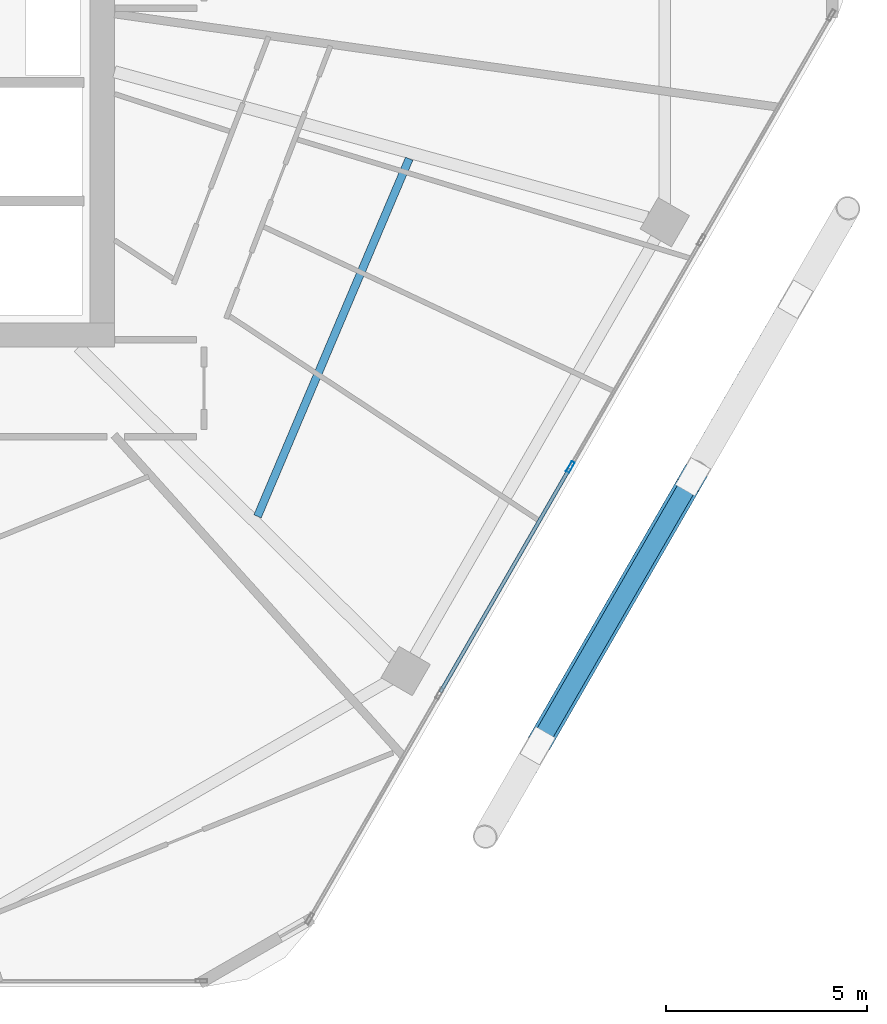
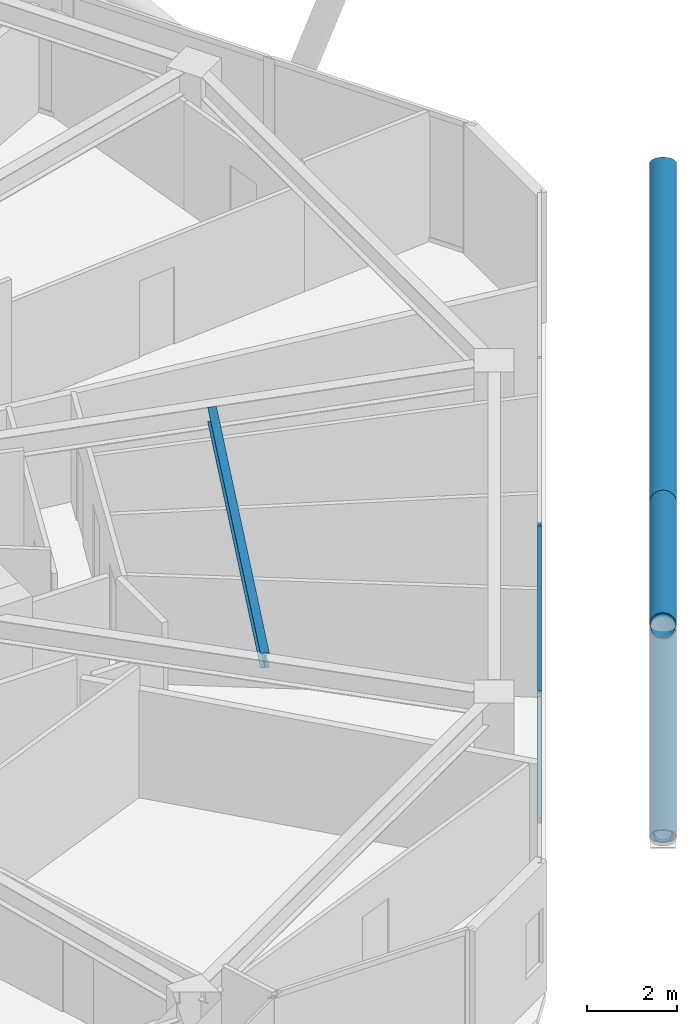
# One storey, part 9 of 27: 6 members, 1 beam, 1 element without a shape of its own.
"""IFC4 building model written with IfcOpenShell, lengths in metres."""

from ifc_helpers import new_model, si_unit, direction, frame, origin, origin_2d, place, context, subcontext, project, spatial, hollow_rectangle, hollow_circle, i_section, extrude, material, material_profile, profile_set, type_object, element, aggregate, save


model = new_model("IFC4")

# Units and contexts
model_context = context("Model", 3, precision=1e-05, world=origin(), true_north=direction((0.0, 1.0)))
body_context = subcontext(model_context, "Body", "Model", "MODEL_VIEW")
ifc_project = project(units=[si_unit("LENGTHUNIT", "METRE"), si_unit("AREAUNIT", "SQUARE_METRE"), si_unit("VOLUMEUNIT", "CUBIC_METRE"), si_unit("PLANEANGLEUNIT", "RADIAN"), si_unit("MASSUNIT", "GRAM", prefix="KILO")], contexts=[model_context])

# Site, building, storey
site_placement = place(None, origin())
site = spatial("IfcSite", under=ifc_project, at=site_placement, CompositionType="ELEMENT")
building_placement = place(site_placement, origin())
building = spatial("IfcBuilding", under=site, at=building_placement, Name="Zuhravey Tower", CompositionType="ELEMENT")
storey_placement = place(building_placement, frame((0.0, 0.0, 238.800048828125)))
storey = spatial("IfcBuildingStorey", under=building, at=storey_placement, Name="L60", CompositionType="ELEMENT", Elevation=238.800048828125)

# Curtain wall, members
ifc_material_1 = material(Name="Thermally broken anodised aluminium", Category="aluminium")
curtain_wall_type = type_object("IfcCurtainWallType", Name="Zone 3-4 High-Rise Curtain Wall CW4", PredefinedType="NOTDEFINED", material=ifc_material_1)
curtain_wall_placement = place(storey_placement, origin())
curtain_wall = element("IfcCurtainWall", 1, at=curtain_wall_placement, inside=storey, type_object=curtain_wall_type, Name="L60 CW4 CW-L60-F6-1", PredefinedType="NOTDEFINED")
ifc_material_2 = material(Name="Anodised aluminium", Category="aluminium")
ifc_material_profile_1 = material_profile(ifc_material_2, hollow_rectangle(XDim=0.090087890625, YDim=0.284912109375, WallThickness=0.0048828125, at=origin_2d()), Name="ALU-RHS-90x285x5")
ifc_profile_set_1 = profile_set([ifc_material_profile_1], Name="Anodised aluminium")
member_type_1 = type_object("IfcMemberType", Name="Curtain-Wall Mullion 90x180", PredefinedType="MULLION", material=ifc_profile_set_1)
member_1_placement = place(storey_placement, frame((58.138671875, 19.21826171875, 0.0), z_axis=(0.0, 0.0, 1.0), x_axis=(0.866024851021, -0.500000957414, 0.0)))
member_1 = element("IfcMember", 2, at=member_1_placement, type_object=member_type_1, Name="CW4 mullion 3", PredefinedType="MULLION", context=body_context, shape_type="SweptSolid", body=[
    extrude(hollow_rectangle(XDim=0.090087890625, YDim=0.284912109375, WallThickness=0.0048828125, at=origin_2d()), origin(), (0.0, 0.0, 1.0), 3.550048828125),
])
ifc_material_profile_2 = material_profile(ifc_material_2, hollow_rectangle(XDim=0.090087890625, YDim=0.14990234375, WallThickness=0.0048828125, at=origin_2d()), Name="ALU-RHS-90x150x5")
ifc_profile_set_2 = profile_set([ifc_material_profile_2], Name="Anodised aluminium")
member_type_2 = type_object("IfcMemberType", Name="Curtain-Wall Transom 90x150", PredefinedType="USERDEFINED", material=ifc_profile_set_2)
member_2_placement = place(storey_placement, frame((58.1162109375, 19.17919921875, 0.044921875), z_axis=(-0.500014493347, -0.866017035885, 0.0), x_axis=(0.866017035885, -0.500014493347, 0.0)))
member_2 = element("IfcMember", 3, at=member_2_placement, type_object=member_type_2, Name="CW4 transom 3.1", ObjectType="TRANSOM", PredefinedType="USERDEFINED", context=body_context, shape_type="SweptSolid", body=[
    extrude(hollow_rectangle(XDim=0.090087890625, YDim=0.14990234375, WallThickness=0.0048828125, at=origin_2d()), origin(), (0.0, 0.0, 1.0), 6.416259765625),
])
member_3_placement = place(storey_placement, frame((58.1162109375, 19.17919921875, 3.5048828125), z_axis=(-0.500014493347, -0.866017035885, 0.0), x_axis=(0.866017035885, -0.500014493347, 0.0)))
member_3 = element("IfcMember", 4, at=member_3_placement, type_object=member_type_2, Name="CW4 transom 3.2", ObjectType="TRANSOM", PredefinedType="USERDEFINED", context=body_context, shape_type="SweptSolid", body=[
    extrude(hollow_rectangle(XDim=0.090087890625, YDim=0.14990234375, WallThickness=0.0048828125, at=origin_2d()), origin(), (0.0, 0.0, 1.0), 6.416259765625),
])
aggregate(curtain_wall, [member_1, member_2, member_3])

# Members
ifc_material_3 = material(Name="Steel SM355", Category="steel")
ifc_material_profile_3 = material_profile(ifc_material_3, hollow_circle(Radius=0.228515625, WallThickness=0.02197265625, at=origin_2d()), Name="CHS-457.2x22")
ifc_profile_set_3 = profile_set([ifc_material_profile_3], Name="Steel SM355")
member_type_3 = type_object("IfcMemberType", Name="Exoskeleton Ring Tie CHS457x22", PredefinedType="CHORD", material=ifc_profile_set_3)
member_4_placement = place(storey_placement, frame((57.39501953125, 12.41015625, -0.464111328125), z_axis=(0.50000793057, 0.866020825019, 0.0), x_axis=(-0.866020825019, 0.50000793057, 0.0)))
element("IfcMember", 5, at=member_4_placement, inside=storey, type_object=member_type_3, Name="L60 Exoskeleton Face 6 Tie EXR1", PredefinedType="CHORD", context=body_context, shape_type="SweptSolid", body=[
    extrude(hollow_circle(Radius=0.228515625, WallThickness=0.02197265625, at=origin_2d()), origin(), (0.0, 0.0, 1.0), 12.535400390625),
])
ifc_material_profile_4 = material_profile(ifc_material_3, hollow_circle(Radius=0.3046875, WallThickness=0.028076171875, at=origin_2d()), Name="CHS-609.6x28")
ifc_profile_set_4 = profile_set([ifc_material_profile_4], Name="Steel SM355")
member_type_4 = type_object("IfcMemberType", Name="Exoskeleton Zone 3 Diagrid CHS610x28", PredefinedType="BRACE", material=ifc_profile_set_4)
member_5_placement = place(storey_placement, frame((57.34326171875, 12.320556640625, -0.446044921875), z_axis=(0.44858715889, 0.776961798354, 0.441701171357), x_axis=(-0.866021515814, 0.500006734102, 0.0)))
element("IfcMember", 6, at=member_5_placement, inside=storey, type_object=member_type_4, Name="L60 Face 6 Diagrid Brace 2", PredefinedType="BRACE", context=body_context, shape_type="SweptSolid", body=[
    extrude(hollow_circle(Radius=0.3046875, WallThickness=0.028076171875, at=origin_2d()), origin(), (0.0, 0.0, 1.0), 17.12451171875),
])
member_6_placement = place(storey_placement, frame((61.0458984375, 18.7333984375, 3.437744140625), z_axis=(-0.469309986719, -0.812868671103, 0.344953127111), x_axis=(0.866025385035, -0.500000032475, 0.0)))
element("IfcMember", 7, at=member_6_placement, inside=storey, type_object=member_type_4, Name="L60 Face 6 Split Diagrid Brace 3B", PredefinedType="BRACE", context=body_context, shape_type="SweptSolid", body=[
    extrude(hollow_circle(Radius=0.3046875, WallThickness=0.028076171875, at=origin_2d()), origin(), (0.0, 0.0, 1.0), 10.679931640625),
])

# Beam
ifc_material_profile_5 = material_profile(ifc_material_3, i_section(OverallWidth=0.199951171875, OverallDepth=0.39990234375, WebThickness=0.008056640625, FlangeThickness=0.012939453125, at=origin_2d()), Name="H-400x200x8x13")
ifc_profile_set_5 = profile_set([ifc_material_profile_5], Name="Steel SM355")
beam_type = type_object("IfcBeamType", Name="Secondary Floor Joist H400x200", PredefinedType="JOIST", material=ifc_profile_set_5)
beam_placement = place(storey_placement, frame((50.36083984375, 17.990966796875, 3.349853515625), z_axis=(0.390413493754, 0.920639616731, 0.0), x_axis=(-0.920639616731, 0.390413493754, 0.0)))
element("IfcBeam", 8, at=beam_placement, inside=storey, type_object=beam_type, Name="L60 SJ2 BM-L60-SJ-11-1", PredefinedType="JOIST", context=body_context, shape_type="SweptSolid", body=[
    extrude(i_section(OverallWidth=0.199951171875, OverallDepth=0.39990234375, WebThickness=0.008056640625, FlangeThickness=0.012939453125, at=origin_2d()), origin(), (0.0, 0.0, 1.0), 9.656494140625),
])

save(model, "model.ifc")
